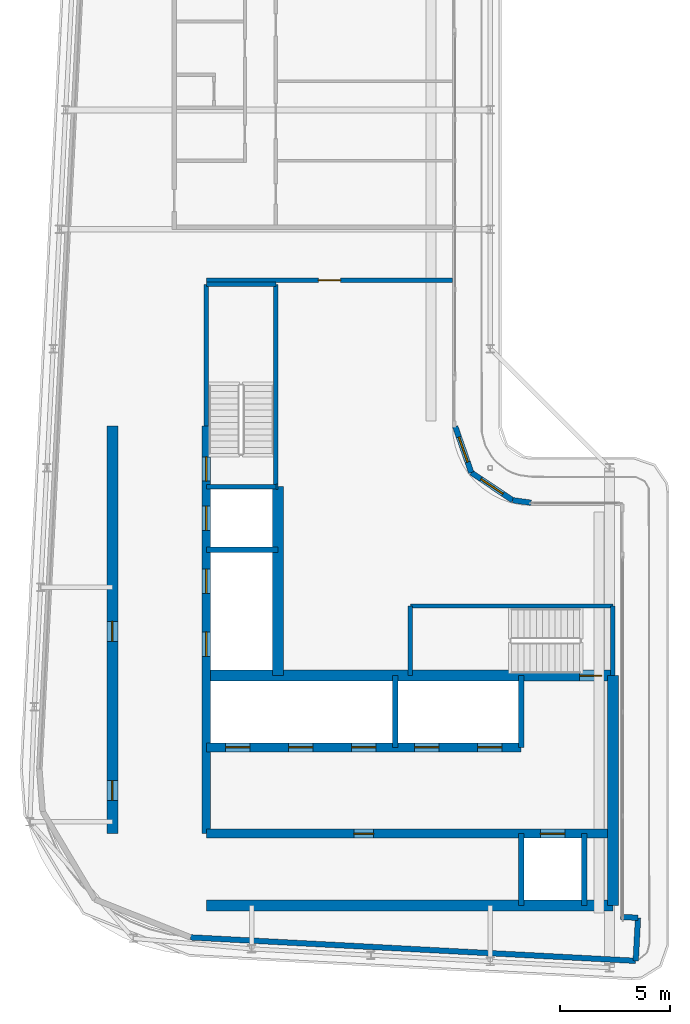
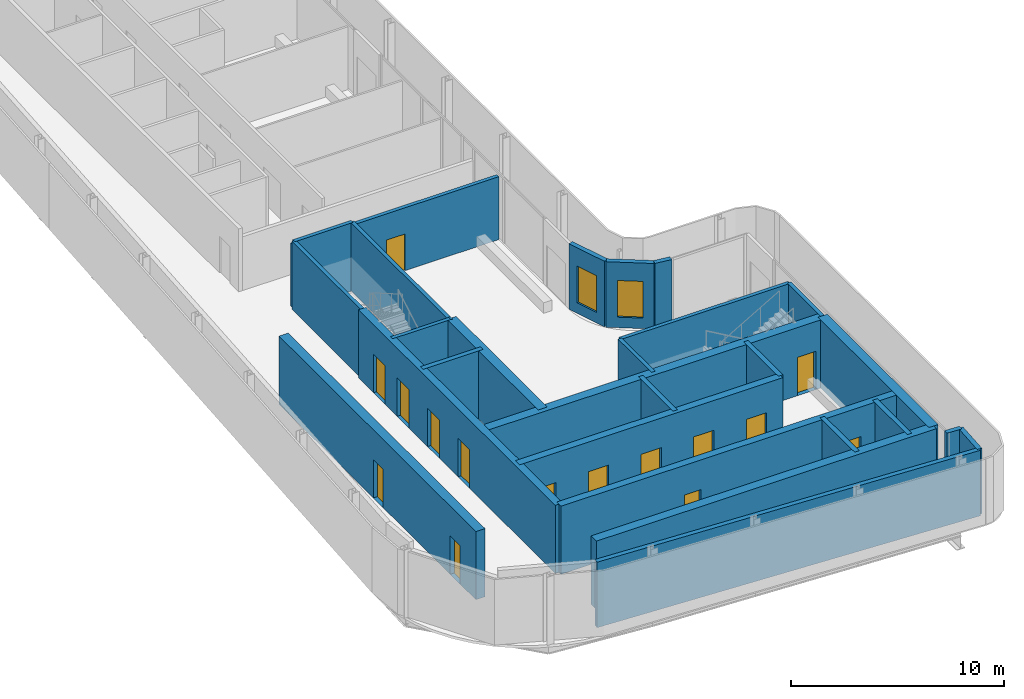
# One storey, part 9 of 18: 28 walls, 15 doors, 2 windows, 17 openings.
"""IFC4 building model written with IfcOpenShell, lengths in metres."""

from ifc_helpers import new_model, si_unit, direction, frame, frame_2d, origin, place, context, subcontext, project, spatial, rectangle, extrude, source, transform, mapped, material, layer, layer_set, type_object, element, fill, save


model = new_model("IFC4")

# Units and contexts
model_context = context("Model", 3, precision=1e-05, world=origin(), true_north=direction((0.0, 1.0)))
body_context = subcontext(model_context, "Body", "Model", "MODEL_VIEW")
ifc_project = project(units=[si_unit("LENGTHUNIT", "METRE"), si_unit("AREAUNIT", "SQUARE_METRE"), si_unit("VOLUMEUNIT", "CUBIC_METRE"), si_unit("PLANEANGLEUNIT", "RADIAN"), si_unit("MASSUNIT", "GRAM", prefix="KILO")], contexts=[model_context])

# Site, building, storey
site_placement = place(None, origin())
site = spatial("IfcSite", under=ifc_project, at=site_placement, CompositionType="ELEMENT")
building_placement = place(site_placement, origin())
building = spatial("IfcBuilding", under=site, at=building_placement, Name="Kheshtan School and Residences Tower", CompositionType="ELEMENT")
storey_placement = place(building_placement, frame((0.0, 0.0, 381.199951171875)))
storey = spatial("IfcBuildingStorey", under=building, at=storey_placement, Name="L90", CompositionType="ELEMENT", Elevation=381.199951171875)

# Wall, openings, doors
ifc_material_1 = material(Name="Concrete C50/60", Category="concrete")
ifc_layer_1 = layer(ifc_material_1, 0.39990234375)
ifc_layer_set_1 = layer_set([ifc_layer_1], Name="Core wall 400 Concrete C50/60")
wall_type_1 = type_object("IfcWallType", Name="Core wall 400 Concrete C50/60", PredefinedType="SHEAR", material=ifc_layer_set_1)
wall_1_placement = place(storey_placement, frame((34.75, 29.050048828125, 0.0), z_axis=(0.0, 0.0, 1.0), x_axis=(1.0, 0.0, 0.0)))
wall_1 = element("IfcWall", 1, at=wall_1_placement, inside=storey, type_object=wall_type_1, Name="Core wall CW-HALL-S1", PredefinedType="SHEAR", context=body_context, shape_type="SweptSolid", body=[
    extrude(rectangle(XDim=18.39990234375, YDim=0.39990234375, at=frame_2d((9.199951171875, 0.0))), origin(), (0.0, 0.0, 1.0), 3.900146484375),
])
opening_1_placement = place(wall_1_placement, frame((15.125, 0.0, 0.0)))
opening_1 = element("IfcOpeningElement", 2, at=opening_1_placement, cuts=wall_1, Name="Opening LD", PredefinedType="OPENING", context=body_context, shape_type="SweptSolid", body=[
    extrude(rectangle(XDim=1.10009765625, YDim=2.199951171875, at=frame_2d((0.550048828125, 1.10009765625))), frame((0.0, 0.2099609375, 0.0), z_axis=(0.0, -1.0, 0.0), x_axis=(1.0, 0.0, 0.0)), (0.0, 0.0, 1.0), 0.419921875),
])
opening_2_placement = place(wall_1_placement, frame((6.675048828125, 0.0, 0.0)))
opening_2 = element("IfcOpeningElement", 3, at=opening_2_placement, cuts=wall_1, Name="Opening SR90", PredefinedType="OPENING", context=body_context, shape_type="SweptSolid", body=[
    extrude(rectangle(XDim=0.89990234375, YDim=2.199951171875, at=frame_2d((0.449951171875, 1.10009765625))), frame((0.0, 0.2099609375, 0.0), z_axis=(0.0, -1.0, 0.0), x_axis=(1.0, 0.0, 0.0)), (0.0, 0.0, 1.0), 0.419921875),
])
ifc_material_2 = material(Name="Stainless steel door leaves", Category="steel")
door_type_1 = type_object("IfcDoorType", Name="Lift landing door 1100", OperationType="SLIDING_TO_LEFT", PredefinedType="DOOR", material=ifc_material_2)
shared_shape_1 = source(origin(), body_context, "Body", "SweptSolid", [
    extrude(rectangle(XDim=1.10009765625, YDim=2.199951171875, at=frame_2d((0.550048828125, 1.10009765625))), frame((0.0, 0.02490234375, 0.0), z_axis=(0.0, -1.0, 0.0), x_axis=(1.0, 0.0, 0.0)), (0.0, 0.0, 1.0), 0.050048828125),
])
door_1_placement = place(opening_1_placement, origin())
door_1 = element("IfcDoor", 4, at=door_1_placement, inside=storey, type_object=door_type_1, Name="Lift FFL2 landing door", OperationType="SLIDING_TO_LEFT", OverallHeight=2.199951171875, OverallWidth=1.10009765625, PredefinedType="DOOR", context=body_context, shape_type="MappedRepresentation", body=[
    mapped(shared_shape_1, transform((0.0, 0.0, 0.0), x_axis=(1.0, 0.0, 0.0), y_axis=(0.0, 1.0, 0.0), z_axis=(0.0, 0.0, 1.0), scale=1.0)),
])
fill(opening_1, door_1)
ifc_material_3 = material(Name="Steel door leaf, galvanised", Category="steel")
door_type_2 = type_object("IfcDoorType", Name="Service room door 900 steel 90 min", OperationType="SINGLE_SWING_LEFT", PredefinedType="DOOR", material=ifc_material_3)
shared_shape_2 = source(origin(), body_context, "Body", "SweptSolid", [
    extrude(rectangle(XDim=0.89990234375, YDim=2.199951171875, at=frame_2d((0.449951171875, 1.10009765625))), frame((0.0, 0.02490234375, 0.0), z_axis=(0.0, -1.0, 0.0), x_axis=(1.0, 0.0, 0.0)), (0.0, 0.0, 1.0), 0.050048828125),
])
door_2_placement = place(opening_2_placement, origin())
door_2 = element("IfcDoor", 5, at=door_2_placement, inside=storey, type_object=door_type_2, Name="Service room door", OperationType="SINGLE_SWING_RIGHT", OverallHeight=2.199951171875, OverallWidth=0.89990234375, PredefinedType="DOOR", context=body_context, shape_type="MappedRepresentation", body=[
    mapped(shared_shape_2, transform((0.0, 0.0, 0.0), x_axis=(1.0, 0.0, 0.0), y_axis=(0.0, 1.0, 0.0), z_axis=(0.0, 0.0, 1.0), scale=1.0)),
])
fill(opening_2, door_2)

wall_2_placement = place(storey_placement, frame((34.75, 32.949951171875, 0.0), z_axis=(0.0, 0.0, 1.0), x_axis=(1.0, 0.0, 0.0)))
wall_2 = element("IfcWall", 6, at=wall_2_placement, inside=storey, type_object=wall_type_1, Name="Core wall CW-HALL-S2", PredefinedType="SHEAR", context=body_context, shape_type="SweptSolid", body=[
    extrude(rectangle(XDim=14.25, YDim=0.39990234375, at=frame_2d((7.125, 0.0))), origin(), (0.0, 0.0, 1.0), 3.900146484375),
])
opening_3_placement = place(wall_2_placement, frame((0.875, 0.0, 0.0)))
opening_3 = element("IfcOpeningElement", 7, at=opening_3_placement, cuts=wall_2, Name="Opening LD", PredefinedType="OPENING", context=body_context, shape_type="SweptSolid", body=[
    extrude(rectangle(XDim=1.10009765625, YDim=2.199951171875, at=frame_2d((0.550048828125, 1.10009765625))), frame((0.0, 0.2099609375, 0.0), z_axis=(0.0, -1.0, 0.0), x_axis=(1.0, 0.0, 0.0)), (0.0, 0.0, 1.0), 0.419921875),
])
opening_4_placement = place(wall_2_placement, frame((3.72509765625, 0.0, 0.0)))
opening_4 = element("IfcOpeningElement", 8, at=opening_4_placement, cuts=wall_2, Name="Opening LD", PredefinedType="OPENING", context=body_context, shape_type="SweptSolid", body=[
    extrude(rectangle(XDim=1.10009765625, YDim=2.199951171875, at=frame_2d((0.550048828125, 1.10009765625))), frame((0.0, 0.2099609375, 0.0), z_axis=(0.0, -1.0, 0.0), x_axis=(1.0, 0.0, 0.0)), (0.0, 0.0, 1.0), 0.419921875),
])
opening_5_placement = place(wall_2_placement, frame((6.574951171875, 0.0, 0.0)))
opening_5 = element("IfcOpeningElement", 9, at=opening_5_placement, cuts=wall_2, Name="Opening LD", PredefinedType="OPENING", context=body_context, shape_type="SweptSolid", body=[
    extrude(rectangle(XDim=1.10009765625, YDim=2.199951171875, at=frame_2d((0.550048828125, 1.10009765625))), frame((0.0, 0.2099609375, 0.0), z_axis=(0.0, -1.0, 0.0), x_axis=(1.0, 0.0, 0.0)), (0.0, 0.0, 1.0), 0.419921875),
])
opening_6_placement = place(wall_2_placement, frame((9.425048828125, 0.0, 0.0)))
opening_6 = element("IfcOpeningElement", 10, at=opening_6_placement, cuts=wall_2, Name="Opening LD", PredefinedType="OPENING", context=body_context, shape_type="SweptSolid", body=[
    extrude(rectangle(XDim=1.10009765625, YDim=2.199951171875, at=frame_2d((0.550048828125, 1.10009765625))), frame((0.0, 0.2099609375, 0.0), z_axis=(0.0, -1.0, 0.0), x_axis=(1.0, 0.0, 0.0)), (0.0, 0.0, 1.0), 0.419921875),
])
opening_7_placement = place(wall_2_placement, frame((12.27490234375, 0.0, 0.0)))
opening_7 = element("IfcOpeningElement", 11, at=opening_7_placement, cuts=wall_2, Name="Opening LD", PredefinedType="OPENING", context=body_context, shape_type="SweptSolid", body=[
    extrude(rectangle(XDim=1.10009765625, YDim=2.199951171875, at=frame_2d((0.550048828125, 1.10009765625))), frame((0.0, 0.2099609375, 0.0), z_axis=(0.0, -1.0, 0.0), x_axis=(1.0, 0.0, 0.0)), (0.0, 0.0, 1.0), 0.419921875),
])
door_3_placement = place(opening_3_placement, origin())
door_3 = element("IfcDoor", 12, at=door_3_placement, inside=storey, type_object=door_type_1, Name="Lift P12 landing door", OperationType="SLIDING_TO_LEFT", OverallHeight=2.199951171875, OverallWidth=1.10009765625, PredefinedType="DOOR", context=body_context, shape_type="MappedRepresentation", body=[
    mapped(shared_shape_1, transform((0.0, 0.0, 0.0), x_axis=(1.0, 0.0, 0.0), y_axis=(0.0, 1.0, 0.0), z_axis=(0.0, 0.0, 1.0), scale=1.0)),
])
fill(opening_3, door_3)
door_4_placement = place(opening_4_placement, origin())
door_4 = element("IfcDoor", 13, at=door_4_placement, inside=storey, type_object=door_type_1, Name="Lift P13 landing door", OperationType="SLIDING_TO_LEFT", OverallHeight=2.199951171875, OverallWidth=1.10009765625, PredefinedType="DOOR", context=body_context, shape_type="MappedRepresentation", body=[
    mapped(shared_shape_1, transform((0.0, 0.0, 0.0), x_axis=(1.0, 0.0, 0.0), y_axis=(0.0, 1.0, 0.0), z_axis=(0.0, 0.0, 1.0), scale=1.0)),
])
fill(opening_4, door_4)
door_5_placement = place(opening_5_placement, origin())
door_5 = element("IfcDoor", 14, at=door_5_placement, inside=storey, type_object=door_type_1, Name="Lift P14 landing door", OperationType="SLIDING_TO_LEFT", OverallHeight=2.199951171875, OverallWidth=1.10009765625, PredefinedType="DOOR", context=body_context, shape_type="MappedRepresentation", body=[
    mapped(shared_shape_1, transform((0.0, 0.0, 0.0), x_axis=(1.0, 0.0, 0.0), y_axis=(0.0, 1.0, 0.0), z_axis=(0.0, 0.0, 1.0), scale=1.0)),
])
fill(opening_5, door_5)
door_6_placement = place(opening_6_placement, origin())
door_6 = element("IfcDoor", 15, at=door_6_placement, inside=storey, type_object=door_type_1, Name="Lift P15 landing door", OperationType="SLIDING_TO_LEFT", OverallHeight=2.199951171875, OverallWidth=1.10009765625, PredefinedType="DOOR", context=body_context, shape_type="MappedRepresentation", body=[
    mapped(shared_shape_1, transform((0.0, 0.0, 0.0), x_axis=(1.0, 0.0, 0.0), y_axis=(0.0, 1.0, 0.0), z_axis=(0.0, 0.0, 1.0), scale=1.0)),
])
fill(opening_6, door_6)
door_7_placement = place(opening_7_placement, origin())
door_7 = element("IfcDoor", 16, at=door_7_placement, inside=storey, type_object=door_type_1, Name="Lift P16 landing door", OperationType="SLIDING_TO_LEFT", OverallHeight=2.199951171875, OverallWidth=1.10009765625, PredefinedType="DOOR", context=body_context, shape_type="MappedRepresentation", body=[
    mapped(shared_shape_1, transform((0.0, 0.0, 0.0), x_axis=(1.0, 0.0, 0.0), y_axis=(0.0, 1.0, 0.0), z_axis=(0.0, 0.0, 1.0), scale=1.0)),
])
fill(opening_7, door_7)

wall_3_placement = place(storey_placement, frame((34.75, 29.050048828125, 0.0), z_axis=(0.0, 0.0, 1.0), x_axis=(0.0, 1.0, 0.0)))
wall_3 = element("IfcWall", 17, at=wall_3_placement, inside=storey, type_object=wall_type_1, Name="Core wall CW-HALL-W1", PredefinedType="SHEAR", context=body_context, shape_type="SweptSolid", body=[
    extrude(rectangle(XDim=18.449951171875, YDim=0.39990234375, at=frame_2d((9.22509765625, 0.0))), origin(), (0.0, 0.0, 1.0), 3.900146484375),
])
opening_8_placement = place(wall_3_placement, frame((8.02490234375, 0.0, 0.0)))
opening_8 = element("IfcOpeningElement", 18, at=opening_8_placement, cuts=wall_3, Name="Opening LD", PredefinedType="OPENING", context=body_context, shape_type="SweptSolid", body=[
    extrude(rectangle(XDim=1.10009765625, YDim=2.199951171875, at=frame_2d((0.550048828125, 1.10009765625))), frame((0.0, 0.2099609375, 0.0), z_axis=(0.0, -1.0, 0.0), x_axis=(1.0, 0.0, 0.0)), (0.0, 0.0, 1.0), 0.419921875),
])
opening_9_placement = place(wall_3_placement, frame((10.875, 0.0, 0.0)))
opening_9 = element("IfcOpeningElement", 19, at=opening_9_placement, cuts=wall_3, Name="Opening LD", PredefinedType="OPENING", context=body_context, shape_type="SweptSolid", body=[
    extrude(rectangle(XDim=1.10009765625, YDim=2.199951171875, at=frame_2d((0.550048828125, 1.10009765625))), frame((0.0, 0.2099609375, 0.0), z_axis=(0.0, -1.0, 0.0), x_axis=(1.0, 0.0, 0.0)), (0.0, 0.0, 1.0), 0.419921875),
])
opening_10_placement = place(wall_3_placement, frame((13.72509765625, 0.0, 0.0)))
opening_10 = element("IfcOpeningElement", 20, at=opening_10_placement, cuts=wall_3, Name="Opening LD", PredefinedType="OPENING", context=body_context, shape_type="SweptSolid", body=[
    extrude(rectangle(XDim=1.10009765625, YDim=2.199951171875, at=frame_2d((0.550048828125, 1.10009765625))), frame((0.0, 0.2099609375, 0.0), z_axis=(0.0, -1.0, 0.0), x_axis=(1.0, 0.0, 0.0)), (0.0, 0.0, 1.0), 0.419921875),
])
opening_11_placement = place(wall_3_placement, frame((15.949951171875, 0.0, 0.0)))
opening_11 = element("IfcOpeningElement", 21, at=opening_11_placement, cuts=wall_3, Name="Opening ST2D", PredefinedType="OPENING", context=body_context, shape_type="SweptSolid", body=[
    extrude(rectangle(XDim=1.10009765625, YDim=2.199951171875, at=frame_2d((0.550048828125, 1.10009765625))), frame((0.0, 0.2099609375, 0.0), z_axis=(0.0, -1.0, 0.0), x_axis=(1.0, 0.0, 0.0)), (0.0, 0.0, 1.0), 0.419921875),
])
door_8_placement = place(opening_8_placement, origin())
door_8 = element("IfcDoor", 22, at=door_8_placement, inside=storey, type_object=door_type_1, Name="Lift SV1 landing door", OperationType="SLIDING_TO_LEFT", OverallHeight=2.199951171875, OverallWidth=1.10009765625, PredefinedType="DOOR", context=body_context, shape_type="MappedRepresentation", body=[
    mapped(shared_shape_1, transform((0.0, 0.0, 0.0), x_axis=(1.0, 0.0, 0.0), y_axis=(0.0, 1.0, 0.0), z_axis=(0.0, 0.0, 1.0), scale=1.0)),
])
fill(opening_8, door_8)
door_9_placement = place(opening_9_placement, origin())
door_9 = element("IfcDoor", 23, at=door_9_placement, inside=storey, type_object=door_type_1, Name="Lift SV2 landing door", OperationType="SLIDING_TO_LEFT", OverallHeight=2.199951171875, OverallWidth=1.10009765625, PredefinedType="DOOR", context=body_context, shape_type="MappedRepresentation", body=[
    mapped(shared_shape_1, transform((0.0, 0.0, 0.0), x_axis=(1.0, 0.0, 0.0), y_axis=(0.0, 1.0, 0.0), z_axis=(0.0, 0.0, 1.0), scale=1.0)),
])
fill(opening_9, door_9)
door_10_placement = place(opening_10_placement, origin())
door_10 = element("IfcDoor", 24, at=door_10_placement, inside=storey, type_object=door_type_1, Name="Lift FFL1 landing door", OperationType="SLIDING_TO_LEFT", OverallHeight=2.199951171875, OverallWidth=1.10009765625, PredefinedType="DOOR", context=body_context, shape_type="MappedRepresentation", body=[
    mapped(shared_shape_1, transform((0.0, 0.0, 0.0), x_axis=(1.0, 0.0, 0.0), y_axis=(0.0, 1.0, 0.0), z_axis=(0.0, 0.0, 1.0), scale=1.0)),
])
fill(opening_10, door_10)
door_type_3 = type_object("IfcDoorType", Name="Stair door 1100 steel 90 min", OperationType="SINGLE_SWING_LEFT", PredefinedType="DOOR", material=ifc_material_3)
shared_shape_3 = source(origin(), body_context, "Body", "SweptSolid", [
    extrude(rectangle(XDim=1.10009765625, YDim=2.199951171875, at=frame_2d((0.550048828125, 1.10009765625))), frame((0.0, 0.02490234375, 0.0), z_axis=(0.0, -1.0, 0.0), x_axis=(1.0, 0.0, 0.0)), (0.0, 0.0, 1.0), 0.050048828125),
])
door_11_placement = place(opening_11_placement, origin())
door_11 = element("IfcDoor", 25, at=door_11_placement, inside=storey, type_object=door_type_3, Name="Stair ST2 door", OperationType="SINGLE_SWING_RIGHT", OverallHeight=2.199951171875, OverallWidth=1.10009765625, PredefinedType="DOOR", context=body_context, shape_type="MappedRepresentation", body=[
    mapped(shared_shape_3, transform((0.0, 0.0, 0.0), x_axis=(1.0, 0.0, 0.0), y_axis=(0.0, 1.0, 0.0), z_axis=(0.0, 0.0, 1.0), scale=1.0)),
])
fill(opening_11, door_11)

# Wall
ifc_layer_2 = layer(ifc_material_1, 0.5)
ifc_layer_set_2 = layer_set([ifc_layer_2], Name="Core wall 500 Concrete C50/60")
wall_type_2 = type_object("IfcWallType", Name="Core wall 500 Concrete C50/60", PredefinedType="SHEAR", material=ifc_layer_set_2)
wall_4_placement = place(storey_placement, frame((34.75, 25.800048828125, 0.0), z_axis=(0.0, 0.0, 1.0), x_axis=(1.0, 0.0, 0.0)))
element("IfcWall", 26, at=wall_4_placement, inside=storey, type_object=wall_type_2, Name="Core wall CW-REAR-S", PredefinedType="SHEAR", context=body_context, shape_type="SweptSolid", body=[
    extrude(rectangle(XDim=18.39990234375, YDim=0.5, at=frame_2d((9.199951171875, 0.0))), origin(), (0.0, 0.0, 1.0), 3.900146484375),
])

# Wall, opening, door
wall_5_placement = place(storey_placement, frame((34.75, 36.199951171875, 0.0), z_axis=(0.0, 0.0, 1.0), x_axis=(1.0, 0.0, 0.0)))
wall_5 = element("IfcWall", 27, at=wall_5_placement, inside=storey, type_object=wall_type_2, Name="Core wall CW-FRONT-S", PredefinedType="SHEAR", context=body_context, shape_type="SweptSolid", body=[
    extrude(rectangle(XDim=18.39990234375, YDim=0.5, at=frame_2d((9.199951171875, 0.0))), origin(), (0.0, 0.0, 1.0), 3.900146484375),
])
opening_12_placement = place(wall_5_placement, frame((16.89990234375, 0.0, 0.0)))
opening_12 = element("IfcOpeningElement", 28, at=opening_12_placement, cuts=wall_5, Name="Opening ST1D", PredefinedType="OPENING", context=body_context, shape_type="SweptSolid", body=[
    extrude(rectangle(XDim=1.0, YDim=2.199951171875, at=frame_2d((0.5, 1.10009765625))), frame((0.0, 0.260009765625, 0.0), z_axis=(0.0, -1.0, 0.0), x_axis=(1.0, 0.0, 0.0)), (0.0, 0.0, 1.0), 0.52001953125),
])
shared_shape_4 = source(origin(), body_context, "Body", "SweptSolid", [
    extrude(rectangle(XDim=1.0, YDim=2.199951171875, at=frame_2d((0.5, 1.10009765625))), frame((0.0, 0.02490234375, 0.0), z_axis=(0.0, -1.0, 0.0), x_axis=(1.0, 0.0, 0.0)), (0.0, 0.0, 1.0), 0.050048828125),
])
door_12_placement = place(opening_12_placement, origin())
door_12 = element("IfcDoor", 29, at=door_12_placement, inside=storey, type_object=door_type_3, Name="Stair ST1 door", OperationType="SINGLE_SWING_RIGHT", OverallHeight=2.199951171875, OverallWidth=1.0, PredefinedType="DOOR", context=body_context, shape_type="MappedRepresentation", body=[
    mapped(shared_shape_4, transform((0.0, 0.0, 0.0), x_axis=(1.0, 0.0, 0.0), y_axis=(0.0, 1.0, 0.0), z_axis=(0.0, 0.0, 1.0), scale=1.0)),
])
fill(opening_12, door_12)

# Wall
wall_6_placement = place(storey_placement, frame((38.0, 36.199951171875, 0.0), z_axis=(0.0, 0.0, 1.0), x_axis=(0.0, 1.0, 0.0)))
element("IfcWall", 30, at=wall_6_placement, inside=storey, type_object=wall_type_2, Name="Core wall CW-FRONT-W", PredefinedType="SHEAR", context=body_context, shape_type="SweptSolid", body=[
    extrude(rectangle(XDim=8.550048828125, YDim=0.5, at=frame_2d((4.27490234375, 0.0))), origin(), (0.0, 0.0, 1.0), 3.900146484375),
])

# Wall, openings, doors
wall_7_placement = place(storey_placement, frame((30.5, 29.050048828125, 0.0), z_axis=(0.0, 0.0, 1.0), x_axis=(0.0, 1.0, 0.0)))
wall_7 = element("IfcWall", 31, at=wall_7_placement, inside=storey, type_object=wall_type_2, Name="Core wall CW-REAR-W", PredefinedType="SHEAR", context=body_context, shape_type="SweptSolid", body=[
    extrude(rectangle(XDim=18.449951171875, YDim=0.5, at=frame_2d((9.22509765625, 0.0))), origin(), (0.0, 0.0, 1.0), 3.900146484375),
])
opening_13_placement = place(wall_7_placement, frame((1.5, 0.0, 0.0)))
opening_13 = element("IfcOpeningElement", 32, at=opening_13_placement, cuts=wall_7, Name="Opening SR90", PredefinedType="OPENING", context=body_context, shape_type="SweptSolid", body=[
    extrude(rectangle(XDim=0.89990234375, YDim=2.199951171875, at=frame_2d((0.449951171875, 1.10009765625))), frame((0.0, 0.260009765625, 0.0), z_axis=(0.0, -1.0, 0.0), x_axis=(1.0, 0.0, 0.0)), (0.0, 0.0, 1.0), 0.52001953125),
])
opening_14_placement = place(wall_7_placement, frame((8.705078125, 0.0, 0.0)))
opening_14 = element("IfcOpeningElement", 33, at=opening_14_placement, cuts=wall_7, Name="Opening SR90", PredefinedType="OPENING", context=body_context, shape_type="SweptSolid", body=[
    extrude(rectangle(XDim=0.89990234375, YDim=2.199951171875, at=frame_2d((0.449951171875, 1.10009765625))), frame((0.0, 0.260009765625, 0.0), z_axis=(0.0, -1.0, 0.0), x_axis=(1.0, 0.0, 0.0)), (0.0, 0.0, 1.0), 0.52001953125),
])
door_13_placement = place(opening_13_placement, origin())
door_13 = element("IfcDoor", 34, at=door_13_placement, inside=storey, type_object=door_type_2, Name="Service room door", OperationType="SINGLE_SWING_LEFT", OverallHeight=2.199951171875, OverallWidth=0.89990234375, PredefinedType="DOOR", context=body_context, shape_type="MappedRepresentation", body=[
    mapped(shared_shape_2, transform((0.0, 0.0, 0.0), x_axis=(1.0, 0.0, 0.0), y_axis=(0.0, 1.0, 0.0), z_axis=(0.0, 0.0, 1.0), scale=1.0)),
])
fill(opening_13, door_13)
door_14_placement = place(opening_14_placement, origin())
door_14 = element("IfcDoor", 35, at=door_14_placement, inside=storey, type_object=door_type_2, Name="Service room door", OperationType="SINGLE_SWING_LEFT", OverallHeight=2.199951171875, OverallWidth=0.89990234375, PredefinedType="DOOR", context=body_context, shape_type="MappedRepresentation", body=[
    mapped(shared_shape_2, transform((0.0, 0.0, 0.0), x_axis=(1.0, 0.0, 0.0), y_axis=(0.0, 1.0, 0.0), z_axis=(0.0, 0.0, 1.0), scale=1.0)),
])
fill(opening_14, door_14)

# Wall
wall_8_placement = place(storey_placement, frame((53.14990234375, 25.800048828125, 0.0), z_axis=(0.0, 0.0, 1.0), x_axis=(0.0, 1.0, 0.0)))
element("IfcWall", 36, at=wall_8_placement, inside=storey, type_object=wall_type_2, Name="Core wall CW-EAST", PredefinedType="SHEAR", context=body_context, shape_type="SweptSolid", body=[
    extrude(rectangle(XDim=10.39990234375, YDim=0.5, at=frame_2d((5.199951171875, 0.0))), origin(), (0.0, 0.0, 1.0), 3.900146484375),
])

# Wall, opening, door
ifc_material_4 = material(Name="Gypsum board on steel studs with fire boards", Category="steel")
ifc_layer_3 = layer(ifc_material_4, 0.199951171875)
ifc_layer_set_3 = layer_set([ifc_layer_3], Name="Corridor wall 200")
wall_type_3 = type_object("IfcWallType", Name="Corridor wall 200", PredefinedType="PARTITIONING", material=ifc_layer_set_3)
wall_9_placement = place(storey_placement, frame((34.75, 54.10009765625, 0.0), z_axis=(0.0, 0.0, 1.0), x_axis=(1.0, 0.0, 0.0)))
wall_9 = element("IfcWall", 37, at=wall_9_placement, inside=storey, type_object=wall_type_3, Name="Partition L90-016", PredefinedType="PARTITIONING", context=body_context, shape_type="SweptSolid", body=[
    extrude(rectangle(XDim=11.14990234375, YDim=0.199951171875, at=frame_2d((5.574951171875, 0.0))), origin(), (0.0, 0.0, 1.0), 3.60009765625),
])
opening_15_placement = place(wall_9_placement, frame((5.074951171875, 0.0, 0.0)))
opening_15 = element("IfcOpeningElement", 38, at=opening_15_placement, cuts=wall_9, Name="Opening D90-026", PredefinedType="OPENING", context=body_context, shape_type="SweptSolid", body=[
    extrude(rectangle(XDim=1.0, YDim=2.10009765625, at=frame_2d((0.5, 1.050048828125))), frame((0.0, 0.10986328125, 0.0), z_axis=(0.0, -1.0, 0.0), x_axis=(1.0, 0.0, 0.0)), (0.0, 0.0, 1.0), 0.219970703125),
])
ifc_material_5 = material(Name="Steel-framed fire-resisting door leaf", Category="steel")
door_type_4 = type_object("IfcDoorType", Name="Fire door FD60 1000 x 2100", OperationType="SINGLE_SWING_LEFT", PredefinedType="DOOR", material=ifc_material_5)
shared_shape_5 = source(origin(), body_context, "Body", "SweptSolid", [
    extrude(rectangle(XDim=1.0, YDim=2.10009765625, at=frame_2d((0.5, 1.050048828125))), frame((0.0, 0.02490234375, 0.0), z_axis=(0.0, -1.0, 0.0), x_axis=(1.0, 0.0, 0.0)), (0.0, 0.0, 1.0), 0.050048828125),
])
door_15_placement = place(opening_15_placement, origin())
door_15 = element("IfcDoor", 39, at=door_15_placement, inside=storey, type_object=door_type_4, Name="Door D90-026", OperationType="SINGLE_SWING_RIGHT", OverallHeight=2.10009765625, OverallWidth=1.0, PredefinedType="DOOR", context=body_context, shape_type="MappedRepresentation", body=[
    mapped(shared_shape_5, transform((0.0, 0.0, 0.0), x_axis=(1.0, 0.0, 0.0), y_axis=(0.0, 1.0, 0.0), z_axis=(0.0, 0.0, 1.0), scale=1.0)),
])
fill(opening_15, door_15)

# Wall, opening, window
ifc_material_6 = material(Name="Concrete C40/50 with ceramic cladding and mineral wool insulation", Category="concrete")
ifc_layer_4 = layer(ifc_material_6, 0.25)
ifc_layer_set_4 = layer_set([ifc_layer_4], Name="External wall 250 ceramic clad")
wall_type_4 = type_object("IfcWallType", Name="External wall 250 ceramic clad", PredefinedType="SOLIDWALL", material=ifc_layer_set_4)
wall_10_placement = place(storey_placement, frame((46.01806640625, 47.470947265625, 0.0), z_axis=(0.0, 0.0, 1.0), x_axis=(0.328791208903, -0.944402637093, 0.0)))
wall_10 = element("IfcWall", 40, at=wall_10_placement, inside=storey, type_object=wall_type_4, Name="External wall L90 9", PredefinedType="SOLIDWALL", context=body_context, shape_type="SweptSolid", body=[
    extrude(rectangle(XDim=2.20458984375, YDim=0.25, at=frame_2d((1.102294921875, 0.0))), origin(), (0.0, 0.0, 1.0), 3.75),
])
opening_16_placement = place(wall_10_placement, frame((0.5029296875, 0.0, 0.60009765625)))
opening_16 = element("IfcOpeningElement", 41, at=opening_16_placement, cuts=wall_10, Name="Opening WN-E", PredefinedType="OPENING", context=body_context, shape_type="SweptSolid", body=[
    extrude(rectangle(XDim=1.199951171875, YDim=2.10009765625, at=frame_2d((0.60009765625, 1.050048828125))), frame((0.0, 0.135009765625, 0.0), z_axis=(0.0, -1.0, 0.0), x_axis=(1.0, 0.0, 0.0)), (0.0, 0.0, 1.0), 0.27001953125),
])
ifc_material_7 = material(Name="Clear low-e glass in thermally broken aluminium frame", Category="aluminium")
window_type = type_object("IfcWindowType", Name="Window WN-E", PartitioningType="SINGLE_PANEL", PredefinedType="WINDOW", material=ifc_material_7)
shared_shape_6 = source(origin(), body_context, "Body", "SweptSolid", [
    extrude(rectangle(XDim=1.199951171875, YDim=2.10009765625, at=frame_2d((0.60009765625, 1.050048828125))), frame((0.0, 0.030029296875, 0.0), z_axis=(0.0, -1.0, 0.0), x_axis=(1.0, 0.0, 0.0)), (0.0, 0.0, 1.0), 0.06005859375),
])
window_1_placement = place(opening_16_placement, origin())
window_1 = element("IfcWindow", 42, at=window_1_placement, inside=storey, type_object=window_type, Name="Window L90 9", OverallHeight=2.10009765625, OverallWidth=1.199951171875, PartitioningType="SINGLE_PANEL", PredefinedType="WINDOW", context=body_context, shape_type="MappedRepresentation", body=[
    mapped(shared_shape_6, transform((0.0, 0.0, 0.0), x_axis=(1.0, 0.0, 0.0), y_axis=(0.0, 1.0, 0.0), z_axis=(0.0, 0.0, 1.0), scale=1.0)),
])
fill(opening_16, window_1)

wall_11_placement = place(storey_placement, frame((46.742919921875, 45.388916015625, 0.0), z_axis=(0.0, 0.0, 1.0), x_axis=(0.831449265529, -0.555600682912, 0.0)))
wall_11 = element("IfcWall", 43, at=wall_11_placement, inside=storey, type_object=wall_type_4, Name="External wall L90 10", PredefinedType="SOLIDWALL", context=body_context, shape_type="SweptSolid", body=[
    extrude(rectangle(XDim=2.25146484375, YDim=0.25, at=frame_2d((1.125732421875, 0.0))), origin(), (0.0, 0.0, 1.0), 3.75),
])
opening_17_placement = place(wall_11_placement, frame((0.52490234375, 0.0, 0.60009765625)))
opening_17 = element("IfcOpeningElement", 44, at=opening_17_placement, cuts=wall_11, Name="Opening WN-E", PredefinedType="OPENING", context=body_context, shape_type="SweptSolid", body=[
    extrude(rectangle(XDim=1.199951171875, YDim=2.10009765625, at=frame_2d((0.60009765625, 1.050048828125))), frame((0.0, 0.135009765625, 0.0), z_axis=(0.0, -1.0, 0.0), x_axis=(1.0, 0.0, 0.0)), (0.0, 0.0, 1.0), 0.27001953125),
])
window_2_placement = place(opening_17_placement, origin())
window_2 = element("IfcWindow", 45, at=window_2_placement, inside=storey, type_object=window_type, Name="Window L90 10", OverallHeight=2.10009765625, OverallWidth=1.199951171875, PartitioningType="SINGLE_PANEL", PredefinedType="WINDOW", context=body_context, shape_type="MappedRepresentation", body=[
    mapped(shared_shape_6, transform((0.0, 0.0, 0.0), x_axis=(1.0, 0.0, 0.0), y_axis=(0.0, 1.0, 0.0), z_axis=(0.0, 0.0, 1.0), scale=1.0)),
])
fill(opening_17, window_2)

# Walls
wall_12_placement = place(storey_placement, frame((48.614990234375, 44.137939453125, 0.0), z_axis=(0.0, 0.0, 1.0), x_axis=(0.990741504246, -0.135761819977, 0.0)))
element("IfcWall", 46, at=wall_12_placement, inside=storey, type_object=wall_type_4, Name="External wall L90 11", PredefinedType="SOLIDWALL", context=body_context, shape_type="SweptSolid", body=[
    extrude(rectangle(XDim=0.83984375, YDim=0.25, at=frame_2d((0.419921875, 0.0))), origin(), (0.0, 0.0, 1.0), 3.75),
])
wall_13_placement = place(storey_placement, frame((53.507080078125, 25.281005859375, 0.0), z_axis=(0.0, 0.0, 1.0), x_axis=(0.998561284263, -0.053622398031, 0.0)))
element("IfcWall", 47, at=wall_13_placement, inside=storey, type_object=wall_type_4, Name="External wall L90 14", PredefinedType="SOLIDWALL", context=body_context, shape_type="SweptSolid", body=[
    extrude(rectangle(XDim=0.783203125, YDim=0.25, at=frame_2d((0.3916015625, 0.0))), origin(), (0.0, 0.0, 1.0), 3.75),
])
wall_14_placement = place(storey_placement, frame((54.2890625, 25.239013671875, 0.0), z_axis=(0.0, 0.0, 1.0), x_axis=(-0.052841433274, -0.998602915542, 0.0)))
element("IfcWall", 48, at=wall_14_placement, inside=storey, type_object=wall_type_4, Name="External wall L90 15", PredefinedType="SOLIDWALL", context=body_context, shape_type="SweptSolid", body=[
    extrude(rectangle(XDim=1.94970703125, YDim=0.25, at=frame_2d((0.974853515625, 0.0))), origin(), (0.0, 0.0, 1.0), 3.75),
])
wall_15_placement = place(storey_placement, frame((54.18603515625, 23.2919921875, 0.0), z_axis=(0.0, 0.0, 1.0), x_axis=(-0.998616090491, 0.052591860707, 0.0)))
element("IfcWall", 49, at=wall_15_placement, inside=storey, type_object=wall_type_4, Name="External wall L90 16", PredefinedType="SOLIDWALL", context=body_context, shape_type="SweptSolid", body=[
    extrude(rectangle(XDim=20.1748046875, YDim=0.25, at=frame_2d((10.08740234375, 0.0))), origin(), (0.0, 0.0, 1.0), 3.75),
])
ifc_material_8 = material(Name="Fire-board shaft wall system")
ifc_layer_5 = layer(ifc_material_8, 0.25)
ifc_layer_set_5 = layer_set([ifc_layer_5], Name="Shaft lining wall 250")
wall_type_5 = type_object("IfcWallType", Name="Shaft lining wall 250", PredefinedType="PARTITIONING", material=ifc_layer_set_5)
for number, where, z_axis, x_axis, name in (
    (50, (43.300048828125, 32.949951171875, 0.0), (0.0, 0.0, 1.0), (0.0, 1.0, 0.0), "Shaft lining wall"),
    (51, (49.0, 25.800048828125, 0.0), (0.0, 0.0, 1.0), (0.0, 1.0, 0.0), "Shaft lining wall"),
    (52, (49.0, 32.949951171875, 0.0), (0.0, 0.0, 1.0), (0.0, 1.0, 0.0), "Shaft lining wall"),
    (53, (51.85009765625, 25.800048828125, 0.0), (0.0, 0.0, 1.0), (0.0, 1.0, 0.0), "Shaft lining wall"),
    (54, (34.75, 41.89990234375, 0.0), (0.0, 0.0, 1.0), (1.0, 0.0, 0.0), "Shaft lining wall"),
):
    element("IfcWall", number, at=place(storey_placement, frame(where, z_axis=z_axis, x_axis=x_axis)), inside=storey, type_object=wall_type_5, Name=name, PredefinedType="PARTITIONING", context=body_context, shape_type="SweptSolid", body=[
        extrude(rectangle(XDim=3.25, YDim=0.25, at=frame_2d((1.625, 0.0))), origin(), (0.0, 0.0, 1.0), 3.900146484375),
    ])
wall_16_placement = place(storey_placement, frame((37.89990234375, 44.75, 0.0), z_axis=(0.0, 0.0, 1.0), x_axis=(1.0, 0.0, 0.0)))
element("IfcWall", 55, at=wall_16_placement, inside=storey, type_object=wall_type_5, Name="Shaft lining wall", PredefinedType="PARTITIONING", context=body_context, shape_type="SweptSolid", body=[
    extrude(rectangle(XDim=0.10009765625, YDim=0.25, at=frame_2d((0.050048828125, 0.0))), origin(), (0.0, 0.0, 1.0), 3.900146484375),
])
ifc_material_9 = material(Name="Concrete C40/50", Category="concrete")
ifc_layer_6 = layer(ifc_material_9, 0.199951171875)
ifc_layer_set_6 = layer_set([ifc_layer_6], Name="Stair enclosure wall 200 Concrete C40/50")
wall_type_6 = type_object("IfcWallType", Name="Stair enclosure wall 200 Concrete C40/50", PredefinedType="SHEAR", material=ifc_layer_set_6)
wall_17_placement = place(storey_placement, frame((43.989990234375, 39.35009765625, 0.0), z_axis=(0.0, 0.0, 1.0), x_axis=(1.0, 0.0, 0.0)))
element("IfcWall", 56, at=wall_17_placement, inside=storey, type_object=wall_type_6, Name="Stair enclosure wall ST1", PredefinedType="SHEAR", context=body_context, shape_type="SweptSolid", body=[
    extrude(rectangle(XDim=9.159912109375, YDim=0.199951171875, at=frame_2d((4.580078125, 0.0))), origin(), (0.0, 0.0, 1.0), 3.900146484375),
])
for number, where, z_axis, x_axis, name in (
    (57, (43.989990234375, 36.199951171875, 0.0), (0.0, 0.0, 1.0), (0.0, 1.0, 0.0), "Stair enclosure wall ST1"),
    (58, (53.14990234375, 36.199951171875, 0.0), (0.0, 0.0, 1.0), (0.0, 1.0, 0.0), "Stair enclosure wall ST1"),
):
    element("IfcWall", number, at=place(storey_placement, frame(where, z_axis=z_axis, x_axis=x_axis)), inside=storey, type_object=wall_type_6, Name=name, PredefinedType="SHEAR", context=body_context, shape_type="SweptSolid", body=[
        extrude(rectangle(XDim=3.150146484375, YDim=0.199951171875, at=frame_2d((1.5751953125, 0.0))), origin(), (0.0, 0.0, 1.0), 3.900146484375),
    ])
for number, where, z_axis, x_axis, name in (
    (59, (34.75, 44.75, 0.0), (0.0, 0.0, 1.0), (1.0, 0.0, 0.0), "Stair enclosure wall ST2"),
    (60, (34.75, 53.909912109375, 0.0), (0.0, 0.0, 1.0), (1.0, 0.0, 0.0), "Stair enclosure wall ST2"),
):
    element("IfcWall", number, at=place(storey_placement, frame(where, z_axis=z_axis, x_axis=x_axis)), inside=storey, type_object=wall_type_6, Name=name, PredefinedType="SHEAR", context=body_context, shape_type="SweptSolid", body=[
        extrude(rectangle(XDim=3.14990234375, YDim=0.199951171875, at=frame_2d((1.574951171875, 0.0))), origin(), (0.0, 0.0, 1.0), 3.900146484375),
    ])
wall_18_placement = place(storey_placement, frame((34.75, 47.5, 0.0), z_axis=(0.0, 0.0, 1.0), x_axis=(0.0, 1.0, 0.0)))
element("IfcWall", 61, at=wall_18_placement, inside=storey, type_object=wall_type_6, Name="Stair enclosure wall ST2", PredefinedType="SHEAR", context=body_context, shape_type="SweptSolid", body=[
    extrude(rectangle(XDim=6.409912109375, YDim=0.199951171875, at=frame_2d((3.205078125, 0.0))), origin(), (0.0, 0.0, 1.0), 3.900146484375),
])
wall_19_placement = place(storey_placement, frame((37.89990234375, 44.75, 0.0), z_axis=(0.0, 0.0, 1.0), x_axis=(0.0, 1.0, 0.0)))
element("IfcWall", 62, at=wall_19_placement, inside=storey, type_object=wall_type_6, Name="Stair enclosure wall ST2", PredefinedType="SHEAR", context=body_context, shape_type="SweptSolid", body=[
    extrude(rectangle(XDim=9.159912109375, YDim=0.199951171875, at=frame_2d((4.580078125, 0.0))), origin(), (0.0, 0.0, 1.0), 3.900146484375),
])

save(model, "model.ifc")
